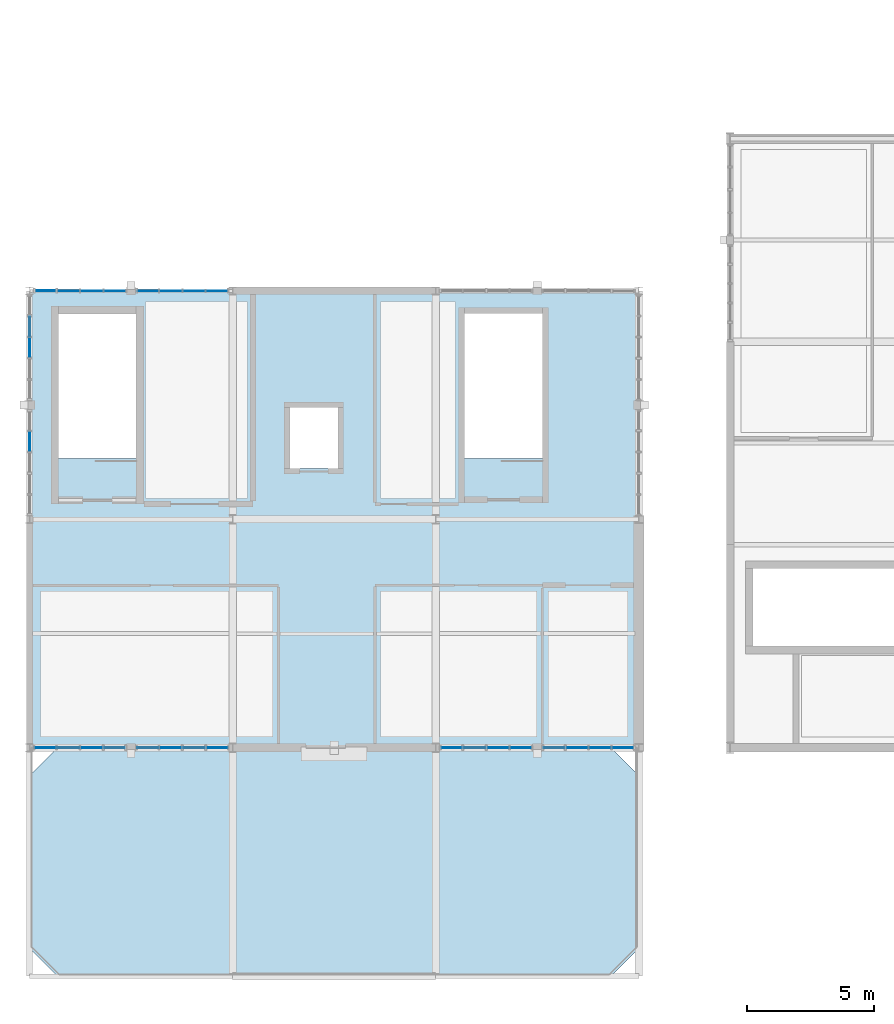
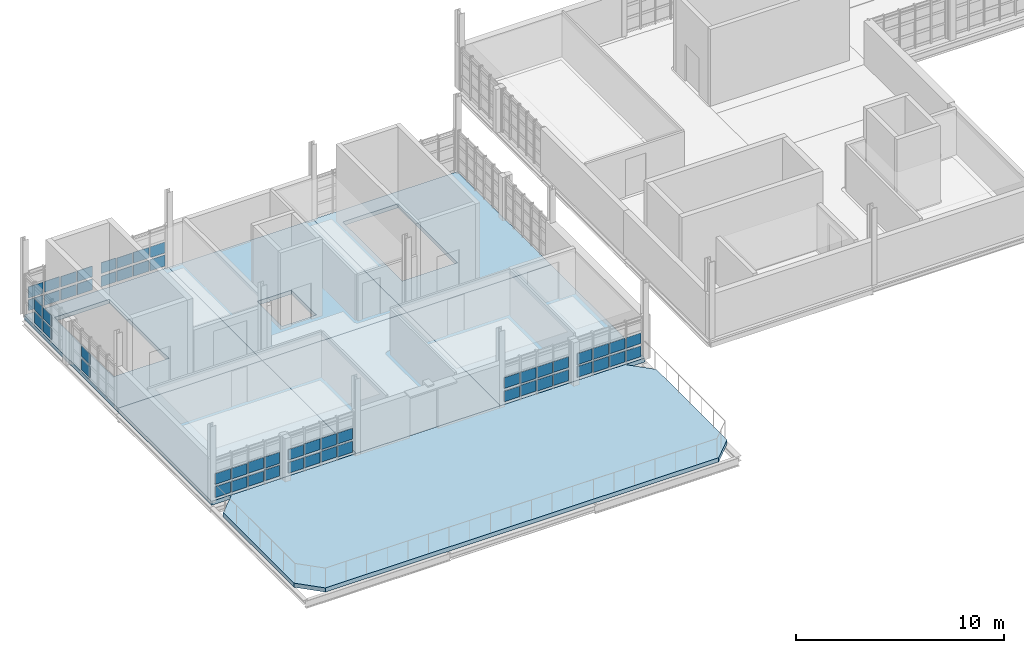
# One storey, part 27 of 44: 54 plates, 7 slabs, 8 elements without a shape of their own.
"""IFC4 building model written with IfcOpenShell, lengths in metres."""

from ifc_helpers import new_model, si_unit, direction, frame, origin, origin_2d, place, context, subcontext, project, spatial, polyline, rectangle, outline, extrude, material, layer, layer_set, type_object, element, aggregate, save


model = new_model("IFC4")

# Units and contexts
model_context = context("Model", 3, precision=1e-05, world=origin(), true_north=direction((0.0, 1.0)))
body_context = subcontext(model_context, "Body", "Model", "MODEL_VIEW")
ifc_project = project(units=[si_unit("LENGTHUNIT", "METRE"), si_unit("AREAUNIT", "SQUARE_METRE"), si_unit("VOLUMEUNIT", "CUBIC_METRE"), si_unit("PLANEANGLEUNIT", "RADIAN"), si_unit("MASSUNIT", "GRAM", prefix="KILO")], contexts=[model_context])

# Site, building, storey
site_placement = place(None, origin())
site = spatial("IfcSite", under=ifc_project, at=site_placement, CompositionType="ELEMENT")
building_placement = place(site_placement, origin())
building = spatial("IfcBuilding", under=site, at=building_placement, Name="Serraforn Aerial Cableway Station", CompositionType="ELEMENT")
storey_placement = place(building_placement, frame((0.0, 0.0, 13.800048828125)))
storey = spatial("IfcBuildingStorey", under=building, at=storey_placement, Name="L03", CompositionType="ELEMENT", Elevation=13.800048828125)

# Curtain wall, plate
ifc_material_1 = material(Name="Anodised bronze unitised curtain wall")
curtain_wall_type_1 = type_object("IfcCurtainWallType", Name="CW-SYS-8", PredefinedType="USERDEFINED", material=ifc_material_1)
curtain_wall_1_placement = place(storey_placement, origin())
curtain_wall_1 = element("IfcCurtainWall", 1, at=curtain_wall_1_placement, inside=storey, type_object=curtain_wall_type_1, Name="Unitised Curtain Wall CW-W-L03-S1B", ObjectType="UNITISED CURTAIN WALL", PredefinedType="USERDEFINED")
ifc_material_2 = material(Name="Solar-control low-E double glazing", Category="glass")
ifc_layer_1 = layer(ifc_material_2, 0.02587890625)
ifc_layer_set_1 = layer_set([ifc_layer_1], Name="Solar-control low-E double glazing")
plate_type_1 = type_object("IfcPlateType", Name="CW-GLZ-1", PredefinedType="CURTAIN_PANEL", material=ifc_layer_set_1)
plate_1_placement = place(storey_placement, frame((7.38427734375, 18.0, 0.9248046875), z_axis=(0.0, 0.0, 1.0), x_axis=(1.0, 0.0, 0.0)))
plate_1 = element("IfcPlate", 2, at=plate_1_placement, type_object=plate_type_1, Name="Curtain Wall Panel CW-W-L03-S1B-P4-2", PredefinedType="CURTAIN_PANEL", context=body_context, shape_type="SweptSolid", body=[
    extrude(rectangle(XDim=0.82958984375, YDim=0.02587890625, at=origin_2d()), origin(), (0.0, 0.0, 1.0), 0.6416015625),
])

# Curtain wall, plates
curtain_wall_type_2 = type_object("IfcCurtainWallType", Name="CW-SYS-9", PredefinedType="USERDEFINED", material=ifc_material_1)
curtain_wall_2_placement = place(storey_placement, origin())
curtain_wall_2 = element("IfcCurtainWall", 3, at=curtain_wall_2_placement, inside=storey, type_object=curtain_wall_type_2, Name="Unitised Curtain Wall CW-W-L03-S3A", ObjectType="UNITISED CURTAIN WALL", PredefinedType="USERDEFINED")
plate_2_placement = place(storey_placement, frame((18.447998046875, 18.0, 0.9248046875), z_axis=(0.0, 0.0, 1.0), x_axis=(1.0, 0.0, 0.0)))
plate_2 = element("IfcPlate", 4, at=plate_2_placement, type_object=plate_type_1, Name="Curtain Wall Panel CW-W-L03-S3A-P3-2", PredefinedType="CURTAIN_PANEL", context=body_context, shape_type="SweptSolid", body=[
    extrude(rectangle(XDim=0.85693359375, YDim=0.02587890625, at=origin_2d()), origin(), (0.0, 0.0, 1.0), 0.6416015625),
])
plate_3_placement = place(storey_placement, frame((19.3447265625, 18.0, 0.159912109375), z_axis=(0.0, 0.0, 1.0), x_axis=(1.0, 0.0, 0.0)))
plate_3 = element("IfcPlate", 5, at=plate_3_placement, type_object=plate_type_1, Name="Curtain Wall Panel CW-W-L03-S3A-P4-1", PredefinedType="CURTAIN_PANEL", context=body_context, shape_type="SweptSolid", body=[
    extrude(rectangle(XDim=0.83447265625, YDim=0.02587890625, at=origin_2d()), origin(), (0.0, 0.0, 1.0), 0.6416015625),
])

curtain_wall_type_3 = type_object("IfcCurtainWallType", Name="CW-SYS-10", PredefinedType="USERDEFINED", material=ifc_material_1)
curtain_wall_3_placement = place(storey_placement, origin())
curtain_wall_3 = element("IfcCurtainWall", 6, at=curtain_wall_3_placement, inside=storey, type_object=curtain_wall_type_3, Name="Unitised Curtain Wall CW-W-L03-S3B", ObjectType="UNITISED CURTAIN WALL", PredefinedType="USERDEFINED")
plate_4_placement = place(storey_placement, frame((21.56201171875, 18.0, 0.9248046875), z_axis=(0.0, 0.0, 1.0), x_axis=(1.0, 0.0, 0.0)))
plate_4 = element("IfcPlate", 7, at=plate_4_placement, type_object=plate_type_1, Name="Curtain Wall Panel CW-W-L03-S3B-P2-2", PredefinedType="CURTAIN_PANEL", context=body_context, shape_type="SweptSolid", body=[
    extrude(rectangle(XDim=0.85693359375, YDim=0.02587890625, at=origin_2d()), origin(), (0.0, 0.0, 1.0), 0.6416015625),
])
plate_5_placement = place(storey_placement, frame((22.4736328125, 18.0, 0.159912109375), z_axis=(0.0, 0.0, 1.0), x_axis=(1.0, 0.0, 0.0)))
plate_5 = element("IfcPlate", 8, at=plate_5_placement, type_object=plate_type_1, Name="Curtain Wall Panel CW-W-L03-S3B-P3-1", PredefinedType="CURTAIN_PANEL", context=body_context, shape_type="SweptSolid", body=[
    extrude(rectangle(XDim=0.864501953125, YDim=0.02587890625, at=origin_2d()), origin(), (0.0, 0.0, 1.0), 0.6416015625),
])

curtain_wall_type_4 = type_object("IfcCurtainWallType", Name="CW-SYS-11", PredefinedType="USERDEFINED", material=ifc_material_1)
curtain_wall_4_placement = place(storey_placement, origin())
curtain_wall_4 = element("IfcCurtainWall", 9, at=curtain_wall_4_placement, inside=storey, type_object=curtain_wall_type_4, Name="Unitised Curtain Wall CW-W-L03-N1A", ObjectType="UNITISED CURTAIN WALL", PredefinedType="USERDEFINED")
plate_6_placement = place(storey_placement, frame((7.369384765625, 36.0, 0.9248046875), z_axis=(0.0, 0.0, 1.0), x_axis=(1.0, 0.0, 0.0)))
plate_6 = element("IfcPlate", 10, at=plate_6_placement, type_object=plate_type_1, Name="Curtain Wall Panel CW-W-L03-N1A-P1-2", PredefinedType="CURTAIN_PANEL", context=body_context, shape_type="SweptSolid", body=[
    extrude(rectangle(XDim=0.819580078125, YDim=0.02587890625, at=origin_2d()), origin(), (0.0, 0.0, 1.0), 0.6416015625),
])
plate_7_placement = place(storey_placement, frame((6.476318359375, 36.0, 0.159912109375), z_axis=(0.0, 0.0, 1.0), x_axis=(1.0, 0.0, 0.0)))
plate_7 = element("IfcPlate", 11, at=plate_7_placement, type_object=plate_type_1, Name="Curtain Wall Panel CW-W-L03-N1A-P2-1", PredefinedType="CURTAIN_PANEL", context=body_context, shape_type="SweptSolid", body=[
    extrude(rectangle(XDim=0.864501953125, YDim=0.02587890625, at=origin_2d()), origin(), (0.0, 0.0, 1.0), 0.6416015625),
])

# Curtain wall, plate
curtain_wall_type_5 = type_object("IfcCurtainWallType", Name="CW-SYS-12", PredefinedType="USERDEFINED", material=ifc_material_1)
curtain_wall_5_placement = place(storey_placement, origin())
curtain_wall_5 = element("IfcCurtainWall", 12, at=curtain_wall_5_placement, inside=storey, type_object=curtain_wall_type_5, Name="Unitised Curtain Wall CW-W-L03-N1B", ObjectType="UNITISED CURTAIN WALL", PredefinedType="USERDEFINED")
plate_8_placement = place(storey_placement, frame((3.348388671875, 36.0, 0.159912109375), z_axis=(0.0, 0.0, 1.0), x_axis=(1.0, 0.0, 0.0)))
plate_8 = element("IfcPlate", 13, at=plate_8_placement, type_object=plate_type_1, Name="Curtain Wall Panel CW-W-L03-N1B-P1-1", PredefinedType="CURTAIN_PANEL", context=body_context, shape_type="SweptSolid", body=[
    extrude(rectangle(XDim=0.8369140625, YDim=0.02587890625, at=origin_2d()), origin(), (0.0, 0.0, 1.0), 0.6416015625),
])

# Plate
ifc_layer_2 = layer(ifc_material_2, 0.028076171875)
ifc_layer_set_2 = layer_set([ifc_layer_2], Name="Solar-control low-E double glazing")
plate_type_2 = type_object("IfcPlateType", Name="CW-GLZ-2", PredefinedType="CURTAIN_PANEL", material=ifc_layer_set_2)
plate_9_placement = place(storey_placement, frame((19.3447265625, 18.0, 0.9326171875), z_axis=(0.0, 0.0, 1.0), x_axis=(1.0, 0.0, 0.0)))
plate_9 = element("IfcPlate", 14, at=plate_9_placement, type_object=plate_type_2, Name="Curtain Wall Panel CW-W-L03-S3A-P4-2", PredefinedType="CURTAIN_PANEL", context=body_context, shape_type="SweptSolid", body=[
    extrude(rectangle(XDim=0.83447265625, YDim=0.028076171875, at=origin_2d()), origin(), (0.0, 0.0, 1.0), 0.62646484375),
])

plate_10_placement = place(storey_placement, frame((22.4736328125, 18.0, 0.9326171875), z_axis=(0.0, 0.0, 1.0), x_axis=(1.0, 0.0, 0.0)))
plate_10 = element("IfcPlate", 15, at=plate_10_placement, type_object=plate_type_2, Name="Curtain Wall Panel CW-W-L03-S3B-P3-2", PredefinedType="CURTAIN_PANEL", context=body_context, shape_type="SweptSolid", body=[
    extrude(rectangle(XDim=0.864501953125, YDim=0.028076171875, at=origin_2d()), origin(), (0.0, 0.0, 1.0), 0.62646484375),
])

plate_11_placement = place(storey_placement, frame((23.37548828125, 18.0, 0.16748046875), z_axis=(0.0, 0.0, 1.0), x_axis=(1.0, 0.0, 0.0)))
plate_11 = element("IfcPlate", 16, at=plate_11_placement, type_object=plate_type_2, Name="Curtain Wall Panel CW-W-L03-S3B-P4-1", PredefinedType="CURTAIN_PANEL", context=body_context, shape_type="SweptSolid", body=[
    extrude(rectangle(XDim=0.826904296875, YDim=0.028076171875, at=origin_2d()), origin(), (0.0, 0.0, 1.0), 0.62646484375),
])

plate_12_placement = place(storey_placement, frame((6.476318359375, 36.0, 0.9326171875), z_axis=(0.0, 0.0, 1.0), x_axis=(1.0, 0.0, 0.0)))
plate_12 = element("IfcPlate", 17, at=plate_12_placement, type_object=plate_type_2, Name="Curtain Wall Panel CW-W-L03-N1A-P2-2", PredefinedType="CURTAIN_PANEL", context=body_context, shape_type="SweptSolid", body=[
    extrude(rectangle(XDim=0.864501953125, YDim=0.028076171875, at=origin_2d()), origin(), (0.0, 0.0, 1.0), 0.62646484375),
])

plate_13_placement = place(storey_placement, frame((5.558349609375, 36.0, 0.16748046875), z_axis=(0.0, 0.0, 1.0), x_axis=(1.0, 0.0, 0.0)))
plate_13 = element("IfcPlate", 18, at=plate_13_placement, type_object=plate_type_2, Name="Curtain Wall Panel CW-W-L03-N1A-P3-1", PredefinedType="CURTAIN_PANEL", context=body_context, shape_type="SweptSolid", body=[
    extrude(rectangle(XDim=0.859619140625, YDim=0.028076171875, at=origin_2d()), origin(), (0.0, 0.0, 1.0), 0.62646484375),
])

plate_14_placement = place(storey_placement, frame((3.348388671875, 36.0, 0.9326171875), z_axis=(0.0, 0.0, 1.0), x_axis=(1.0, 0.0, 0.0)))
plate_14 = element("IfcPlate", 19, at=plate_14_placement, type_object=plate_type_2, Name="Curtain Wall Panel CW-W-L03-N1B-P1-2", PredefinedType="CURTAIN_PANEL", context=body_context, shape_type="SweptSolid", body=[
    extrude(rectangle(XDim=0.8369140625, YDim=0.028076171875, at=origin_2d()), origin(), (0.0, 0.0, 1.0), 0.62646484375),
])

plate_15_placement = place(storey_placement, frame((2.444091796875, 36.0, 0.16748046875), z_axis=(0.0, 0.0, 1.0), x_axis=(1.0, 0.0, 0.0)))
plate_15 = element("IfcPlate", 20, at=plate_15_placement, type_object=plate_type_2, Name="Curtain Wall Panel CW-W-L03-N1B-P2-1", PredefinedType="CURTAIN_PANEL", context=body_context, shape_type="SweptSolid", body=[
    extrude(rectangle(XDim=0.859619140625, YDim=0.028076171875, at=origin_2d()), origin(), (0.0, 0.0, 1.0), 0.62646484375),
])

ifc_layer_3 = layer(ifc_material_2, 0.030029296875)
ifc_layer_set_3 = layer_set([ifc_layer_3], Name="Solar-control low-E double glazing")
plate_type_3 = type_object("IfcPlateType", Name="CW-GLZ-3", PredefinedType="CURTAIN_PANEL", material=ifc_layer_set_3)
plate_16_placement = place(storey_placement, frame((23.37548828125, 18.0, 0.93994140625), z_axis=(0.0, 0.0, 1.0), x_axis=(1.0, 0.0, 0.0)))
plate_16 = element("IfcPlate", 21, at=plate_16_placement, type_object=plate_type_3, Name="Curtain Wall Panel CW-W-L03-S3B-P4-2", PredefinedType="CURTAIN_PANEL", context=body_context, shape_type="SweptSolid", body=[
    extrude(rectangle(XDim=0.826904296875, YDim=0.030029296875, at=origin_2d()), origin(), (0.0, 0.0, 1.0), 0.611572265625),
])

plate_17_placement = place(storey_placement, frame((5.558349609375, 36.0, 0.93994140625), z_axis=(0.0, 0.0, 1.0), x_axis=(1.0, 0.0, 0.0)))
plate_17 = element("IfcPlate", 22, at=plate_17_placement, type_object=plate_type_3, Name="Curtain Wall Panel CW-W-L03-N1A-P3-2", PredefinedType="CURTAIN_PANEL", context=body_context, shape_type="SweptSolid", body=[
    extrude(rectangle(XDim=0.859619140625, YDim=0.030029296875, at=origin_2d()), origin(), (0.0, 0.0, 1.0), 0.611572265625),
])

plate_18_placement = place(storey_placement, frame((4.65771484375, 36.0, 0.1748046875), z_axis=(0.0, 0.0, 1.0), x_axis=(1.0, 0.0, 0.0)))
plate_18 = element("IfcPlate", 23, at=plate_18_placement, type_object=plate_type_3, Name="Curtain Wall Panel CW-W-L03-N1A-P4-1", PredefinedType="CURTAIN_PANEL", context=body_context, shape_type="SweptSolid", body=[
    extrude(rectangle(XDim=0.819580078125, YDim=0.030029296875, at=origin_2d()), origin(), (0.0, 0.0, 1.0), 0.611572265625),
])

plate_19_placement = place(storey_placement, frame((2.444091796875, 36.0, 0.93994140625), z_axis=(0.0, 0.0, 1.0), x_axis=(1.0, 0.0, 0.0)))
plate_19 = element("IfcPlate", 24, at=plate_19_placement, type_object=plate_type_3, Name="Curtain Wall Panel CW-W-L03-N1B-P2-2", PredefinedType="CURTAIN_PANEL", context=body_context, shape_type="SweptSolid", body=[
    extrude(rectangle(XDim=0.859619140625, YDim=0.030029296875, at=origin_2d()), origin(), (0.0, 0.0, 1.0), 0.611572265625),
])

plate_20_placement = place(storey_placement, frame((1.5263671875, 36.0, 0.1748046875), z_axis=(0.0, 0.0, 1.0), x_axis=(1.0, 0.0, 0.0)))
plate_20 = element("IfcPlate", 25, at=plate_20_placement, type_object=plate_type_3, Name="Curtain Wall Panel CW-W-L03-N1B-P3-1", PredefinedType="CURTAIN_PANEL", context=body_context, shape_type="SweptSolid", body=[
    extrude(rectangle(XDim=0.8544921875, YDim=0.030029296875, at=origin_2d()), origin(), (0.0, 0.0, 1.0), 0.611572265625),
])

# Curtain wall, plate
curtain_wall_type_6 = type_object("IfcCurtainWallType", Name="CW-SYS-7", PredefinedType="USERDEFINED", material=ifc_material_1)
curtain_wall_6_placement = place(storey_placement, origin())
curtain_wall_6 = element("IfcCurtainWall", 26, at=curtain_wall_6_placement, inside=storey, type_object=curtain_wall_type_6, Name="Unitised Curtain Wall CW-W-L03-S1A", ObjectType="UNITISED CURTAIN WALL", PredefinedType="USERDEFINED")
ifc_layer_4 = layer(ifc_material_2, 0.031982421875)
ifc_layer_set_4 = layer_set([ifc_layer_4], Name="Solar-control low-E double glazing")
plate_type_4 = type_object("IfcPlateType", Name="CW-GLZ-4", PredefinedType="CURTAIN_PANEL", material=ifc_layer_set_4)
plate_21_placement = place(storey_placement, frame((0.619384765625, 18.0, 0.159912109375), z_axis=(0.0, 0.0, 1.0), x_axis=(1.0, 0.0, 0.0)))
plate_21 = element("IfcPlate", 27, at=plate_21_placement, type_object=plate_type_4, Name="Curtain Wall Panel CW-W-L03-S1A-P1-1", PredefinedType="CURTAIN_PANEL", context=body_context, shape_type="SweptSolid", body=[
    extrude(rectangle(XDim=0.8369140625, YDim=0.031982421875, at=origin_2d()), origin(), (0.0, 0.0, 1.0), 0.6416015625),
])

# Plate
plate_22_placement = place(storey_placement, frame((4.65771484375, 36.0, 0.947265625), z_axis=(0.0, 0.0, 1.0), x_axis=(1.0, 0.0, 0.0)))
plate_22 = element("IfcPlate", 28, at=plate_22_placement, type_object=plate_type_4, Name="Curtain Wall Panel CW-W-L03-N1A-P4-2", PredefinedType="CURTAIN_PANEL", context=body_context, shape_type="SweptSolid", body=[
    extrude(rectangle(XDim=0.819580078125, YDim=0.031982421875, at=origin_2d()), origin(), (0.0, 0.0, 1.0), 0.631591796875),
])

plate_23_placement = place(storey_placement, frame((1.5263671875, 36.0, 0.947265625), z_axis=(0.0, 0.0, 1.0), x_axis=(1.0, 0.0, 0.0)))
plate_23 = element("IfcPlate", 29, at=plate_23_placement, type_object=plate_type_4, Name="Curtain Wall Panel CW-W-L03-N1B-P3-2", PredefinedType="CURTAIN_PANEL", context=body_context, shape_type="SweptSolid", body=[
    extrude(rectangle(XDim=0.8544921875, YDim=0.031982421875, at=origin_2d()), origin(), (0.0, 0.0, 1.0), 0.631591796875),
])

plate_24_placement = place(storey_placement, frame((0.626953125, 36.0, 0.18212890625), z_axis=(0.0, 0.0, 1.0), x_axis=(1.0, 0.0, 0.0)))
plate_24 = element("IfcPlate", 30, at=plate_24_placement, type_object=plate_type_4, Name="Curtain Wall Panel CW-W-L03-N1B-P4-1", PredefinedType="CURTAIN_PANEL", context=body_context, shape_type="SweptSolid", body=[
    extrude(rectangle(XDim=0.81201171875, YDim=0.031982421875, at=origin_2d()), origin(), (0.0, 0.0, 1.0), 0.631591796875),
])

ifc_layer_5 = layer(ifc_material_2, 0.033935546875)
ifc_layer_set_5 = layer_set([ifc_layer_5], Name="Solar-control low-E double glazing")
plate_type_5 = type_object("IfcPlateType", Name="CW-GLZ-5", PredefinedType="CURTAIN_PANEL", material=ifc_layer_set_5)
plate_25_placement = place(storey_placement, frame((0.619384765625, 18.0, 0.9326171875), z_axis=(0.0, 0.0, 1.0), x_axis=(1.0, 0.0, 0.0)))
plate_25 = element("IfcPlate", 31, at=plate_25_placement, type_object=plate_type_5, Name="Curtain Wall Panel CW-W-L03-S1A-P1-2", PredefinedType="CURTAIN_PANEL", context=body_context, shape_type="SweptSolid", body=[
    extrude(rectangle(XDim=0.8369140625, YDim=0.033935546875, at=origin_2d()), origin(), (0.0, 0.0, 1.0), 0.62646484375),
])

plate_26_placement = place(storey_placement, frame((1.523681640625, 18.0, 0.16748046875), z_axis=(0.0, 0.0, 1.0), x_axis=(1.0, 0.0, 0.0)))
plate_26 = element("IfcPlate", 32, at=plate_26_placement, type_object=plate_type_5, Name="Curtain Wall Panel CW-W-L03-S1A-P2-1", PredefinedType="CURTAIN_PANEL", context=body_context, shape_type="SweptSolid", body=[
    extrude(rectangle(XDim=0.859619140625, YDim=0.033935546875, at=origin_2d()), origin(), (0.0, 0.0, 1.0), 0.62646484375),
])

plate_27_placement = place(storey_placement, frame((4.65283203125, 18.0, 0.16748046875), z_axis=(0.0, 0.0, 1.0), x_axis=(1.0, 0.0, 0.0)))
plate_27 = element("IfcPlate", 33, at=plate_27_placement, type_object=plate_type_5, Name="Curtain Wall Panel CW-W-L03-S1B-P1-1", PredefinedType="CURTAIN_PANEL", context=body_context, shape_type="SweptSolid", body=[
    extrude(rectangle(XDim=0.82958984375, YDim=0.033935546875, at=origin_2d()), origin(), (0.0, 0.0, 1.0), 0.62646484375),
])

plate_28_placement = place(storey_placement, frame((0.626953125, 36.0, 0.919921875), z_axis=(0.0, 0.0, 1.0), x_axis=(1.0, 0.0, 0.0)))
plate_28 = element("IfcPlate", 34, at=plate_28_placement, type_object=plate_type_5, Name="Curtain Wall Panel CW-W-L03-N1B-P4-2", PredefinedType="CURTAIN_PANEL", context=body_context, shape_type="SweptSolid", body=[
    extrude(rectangle(XDim=0.81201171875, YDim=0.033935546875, at=origin_2d()), origin(), (0.0, 0.0, 1.0), 0.654052734375),
])

aggregate(curtain_wall_5, [plate_8, plate_14, plate_15, plate_19, plate_20, plate_23, plate_24, plate_28])

# Curtain wall, plate
curtain_wall_type_7 = type_object("IfcCurtainWallType", Name="CW-SYS-15", PredefinedType="USERDEFINED", material=ifc_material_1)
curtain_wall_7_placement = place(storey_placement, origin())
curtain_wall_7 = element("IfcCurtainWall", 35, at=curtain_wall_7_placement, inside=storey, type_object=curtain_wall_type_7, Name="Unitised Curtain Wall CW-W-L03-W2A", ObjectType="UNITISED CURTAIN WALL", PredefinedType="USERDEFINED")
plate_29_placement = place(storey_placement, frame((0.0, 34.595458984375, 0.15478515625), z_axis=(0.0, 0.0, 1.0), x_axis=(1.0, 0.0, 0.0)))
plate_29 = element("IfcPlate", 36, at=plate_29_placement, type_object=plate_type_5, Name="Curtain Wall Panel CW-W-L03-W2A-P2-1", PredefinedType="CURTAIN_PANEL", context=body_context, shape_type="SweptSolid", body=[
    extrude(rectangle(XDim=0.033935546875, YDim=0.7734375, at=origin_2d()), origin(), (0.0, 0.0, 1.0), 0.654052734375),
])

# Plate
ifc_layer_6 = layer(ifc_material_2, 0.035888671875)
ifc_layer_set_6 = layer_set([ifc_layer_6], Name="Solar-control low-E double glazing")
plate_type_6 = type_object("IfcPlateType", Name="CW-GLZ-6", PredefinedType="CURTAIN_PANEL", material=ifc_layer_set_6)
plate_30_placement = place(storey_placement, frame((1.523681640625, 18.0, 0.93994140625), z_axis=(0.0, 0.0, 1.0), x_axis=(1.0, 0.0, 0.0)))
plate_30 = element("IfcPlate", 37, at=plate_30_placement, type_object=plate_type_6, Name="Curtain Wall Panel CW-W-L03-S1A-P2-2", PredefinedType="CURTAIN_PANEL", context=body_context, shape_type="SweptSolid", body=[
    extrude(rectangle(XDim=0.859619140625, YDim=0.035888671875, at=origin_2d()), origin(), (0.0, 0.0, 1.0), 0.611572265625),
])

plate_31_placement = place(storey_placement, frame((2.441650390625, 18.0, 0.1748046875), z_axis=(0.0, 0.0, 1.0), x_axis=(1.0, 0.0, 0.0)))
plate_31 = element("IfcPlate", 38, at=plate_31_placement, type_object=plate_type_6, Name="Curtain Wall Panel CW-W-L03-S1A-P3-1", PredefinedType="CURTAIN_PANEL", context=body_context, shape_type="SweptSolid", body=[
    extrude(rectangle(XDim=0.8544921875, YDim=0.035888671875, at=origin_2d()), origin(), (0.0, 0.0, 1.0), 0.611572265625),
])

plate_32_placement = place(storey_placement, frame((4.65283203125, 18.0, 0.93994140625), z_axis=(0.0, 0.0, 1.0), x_axis=(1.0, 0.0, 0.0)))
plate_32 = element("IfcPlate", 39, at=plate_32_placement, type_object=plate_type_6, Name="Curtain Wall Panel CW-W-L03-S1B-P1-2", PredefinedType="CURTAIN_PANEL", context=body_context, shape_type="SweptSolid", body=[
    extrude(rectangle(XDim=0.82958984375, YDim=0.035888671875, at=origin_2d()), origin(), (0.0, 0.0, 1.0), 0.611572265625),
])

plate_33_placement = place(storey_placement, frame((5.5556640625, 18.0, 0.1748046875), z_axis=(0.0, 0.0, 1.0), x_axis=(1.0, 0.0, 0.0)))
plate_33 = element("IfcPlate", 40, at=plate_33_placement, type_object=plate_type_6, Name="Curtain Wall Panel CW-W-L03-S1B-P2-1", PredefinedType="CURTAIN_PANEL", context=body_context, shape_type="SweptSolid", body=[
    extrude(rectangle(XDim=0.8544921875, YDim=0.035888671875, at=origin_2d()), origin(), (0.0, 0.0, 1.0), 0.611572265625),
])

plate_34_placement = place(storey_placement, frame((16.6220703125, 18.0, 0.1748046875), z_axis=(0.0, 0.0, 1.0), x_axis=(1.0, 0.0, 0.0)))
plate_34 = element("IfcPlate", 41, at=plate_34_placement, type_object=plate_type_6, Name="Curtain Wall Panel CW-W-L03-S3A-P1-1", PredefinedType="CURTAIN_PANEL", context=body_context, shape_type="SweptSolid", body=[
    extrude(rectangle(XDim=0.822021484375, YDim=0.035888671875, at=origin_2d()), origin(), (0.0, 0.0, 1.0), 0.611572265625),
])

plate_35_placement = place(storey_placement, frame((0.0, 34.595458984375, 0.9248046875), z_axis=(0.0, 0.0, 1.0), x_axis=(1.0, 0.0, 0.0)))
plate_35 = element("IfcPlate", 42, at=plate_35_placement, type_object=plate_type_6, Name="Curtain Wall Panel CW-W-L03-W2A-P2-2", PredefinedType="CURTAIN_PANEL", context=body_context, shape_type="SweptSolid", body=[
    extrude(rectangle(XDim=0.035888671875, YDim=0.7734375, at=origin_2d()), origin(), (0.0, 0.0, 1.0), 0.6416015625),
])

plate_36_placement = place(storey_placement, frame((0.0, 33.76708984375, 0.159912109375), z_axis=(0.0, 0.0, 1.0), x_axis=(1.0, 0.0, 0.0)))
plate_36 = element("IfcPlate", 43, at=plate_36_placement, type_object=plate_type_6, Name="Curtain Wall Panel CW-W-L03-W2A-P3-1", PredefinedType="CURTAIN_PANEL", context=body_context, shape_type="SweptSolid", body=[
    extrude(rectangle(XDim=0.035888671875, YDim=0.781005859375, at=origin_2d()), origin(), (0.0, 0.0, 1.0), 0.6416015625),
])

# Curtain wall, plate
curtain_wall_type_8 = type_object("IfcCurtainWallType", Name="CW-SYS-16", PredefinedType="USERDEFINED", material=ifc_material_1)
curtain_wall_8_placement = place(storey_placement, origin())
curtain_wall_8 = element("IfcCurtainWall", 44, at=curtain_wall_8_placement, inside=storey, type_object=curtain_wall_type_8, Name="Unitised Curtain Wall CW-W-L03-W2B", ObjectType="UNITISED CURTAIN WALL", PredefinedType="USERDEFINED")
plate_37_placement = place(storey_placement, frame((0.0, 30.069580078125, 0.159912109375), z_axis=(0.0, 0.0, 1.0), x_axis=(1.0, 0.0, 0.0)))
plate_37 = element("IfcPlate", 45, at=plate_37_placement, type_object=plate_type_6, Name="Curtain Wall Panel CW-W-L03-W2B-P2-1", PredefinedType="CURTAIN_PANEL", context=body_context, shape_type="SweptSolid", body=[
    extrude(rectangle(XDim=0.035888671875, YDim=0.781005859375, at=origin_2d()), origin(), (0.0, 0.0, 1.0), 0.6416015625),
])

# Plate
ifc_layer_7 = layer(ifc_material_2, 0.029052734375)
ifc_layer_set_7 = layer_set([ifc_layer_7], Name="Solar-control low-E double glazing")
plate_type_7 = type_object("IfcPlateType", Name="CW-GLZ-7", PredefinedType="CURTAIN_PANEL", material=ifc_layer_set_7)
plate_38_placement = place(storey_placement, frame((2.441650390625, 18.0, 0.947265625), z_axis=(0.0, 0.0, 1.0), x_axis=(1.0, 0.0, 0.0)))
plate_38 = element("IfcPlate", 46, at=plate_38_placement, type_object=plate_type_7, Name="Curtain Wall Panel CW-W-L03-S1A-P3-2", PredefinedType="CURTAIN_PANEL", context=body_context, shape_type="SweptSolid", body=[
    extrude(rectangle(XDim=0.8544921875, YDim=0.029052734375, at=origin_2d()), origin(), (0.0, 0.0, 1.0), 0.631591796875),
])

plate_39_placement = place(storey_placement, frame((3.341064453125, 18.0, 0.18212890625), z_axis=(0.0, 0.0, 1.0), x_axis=(1.0, 0.0, 0.0)))
plate_39 = element("IfcPlate", 47, at=plate_39_placement, type_object=plate_type_7, Name="Curtain Wall Panel CW-W-L03-S1A-P4-1", PredefinedType="CURTAIN_PANEL", context=body_context, shape_type="SweptSolid", body=[
    extrude(rectangle(XDim=0.81201171875, YDim=0.029052734375, at=origin_2d()), origin(), (0.0, 0.0, 1.0), 0.631591796875),
])

plate_40_placement = place(storey_placement, frame((5.5556640625, 18.0, 0.947265625), z_axis=(0.0, 0.0, 1.0), x_axis=(1.0, 0.0, 0.0)))
plate_40 = element("IfcPlate", 48, at=plate_40_placement, type_object=plate_type_7, Name="Curtain Wall Panel CW-W-L03-S1B-P2-2", PredefinedType="CURTAIN_PANEL", context=body_context, shape_type="SweptSolid", body=[
    extrude(rectangle(XDim=0.8544921875, YDim=0.029052734375, at=origin_2d()), origin(), (0.0, 0.0, 1.0), 0.631591796875),
])

plate_41_placement = place(storey_placement, frame((6.4736328125, 18.0, 0.18212890625), z_axis=(0.0, 0.0, 1.0), x_axis=(1.0, 0.0, 0.0)))
plate_41 = element("IfcPlate", 49, at=plate_41_placement, type_object=plate_type_7, Name="Curtain Wall Panel CW-W-L03-S1B-P3-1", PredefinedType="CURTAIN_PANEL", context=body_context, shape_type="SweptSolid", body=[
    extrude(rectangle(XDim=0.849609375, YDim=0.029052734375, at=origin_2d()), origin(), (0.0, 0.0, 1.0), 0.631591796875),
])

plate_42_placement = place(storey_placement, frame((16.6220703125, 18.0, 0.947265625), z_axis=(0.0, 0.0, 1.0), x_axis=(1.0, 0.0, 0.0)))
plate_42 = element("IfcPlate", 50, at=plate_42_placement, type_object=plate_type_7, Name="Curtain Wall Panel CW-W-L03-S3A-P1-2", PredefinedType="CURTAIN_PANEL", context=body_context, shape_type="SweptSolid", body=[
    extrude(rectangle(XDim=0.822021484375, YDim=0.029052734375, at=origin_2d()), origin(), (0.0, 0.0, 1.0), 0.631591796875),
])

plate_43_placement = place(storey_placement, frame((17.523681640625, 18.0, 0.18212890625), z_axis=(0.0, 0.0, 1.0), x_axis=(1.0, 0.0, 0.0)))
plate_43 = element("IfcPlate", 51, at=plate_43_placement, type_object=plate_type_7, Name="Curtain Wall Panel CW-W-L03-S3A-P2-1", PredefinedType="CURTAIN_PANEL", context=body_context, shape_type="SweptSolid", body=[
    extrude(rectangle(XDim=0.849609375, YDim=0.029052734375, at=origin_2d()), origin(), (0.0, 0.0, 1.0), 0.631591796875),
])

plate_44_placement = place(storey_placement, frame((20.6552734375, 18.0, 0.18212890625), z_axis=(0.0, 0.0, 1.0), x_axis=(1.0, 0.0, 0.0)))
plate_44 = element("IfcPlate", 52, at=plate_44_placement, type_object=plate_type_7, Name="Curtain Wall Panel CW-W-L03-S3B-P1-1", PredefinedType="CURTAIN_PANEL", context=body_context, shape_type="SweptSolid", body=[
    extrude(rectangle(XDim=0.814453125, YDim=0.029052734375, at=origin_2d()), origin(), (0.0, 0.0, 1.0), 0.631591796875),
])

plate_45_placement = place(storey_placement, frame((0.0, 33.76708984375, 0.9326171875), z_axis=(0.0, 0.0, 1.0), x_axis=(1.0, 0.0, 0.0)))
plate_45 = element("IfcPlate", 53, at=plate_45_placement, type_object=plate_type_7, Name="Curtain Wall Panel CW-W-L03-W2A-P3-2", PredefinedType="CURTAIN_PANEL", context=body_context, shape_type="SweptSolid", body=[
    extrude(rectangle(XDim=0.029052734375, YDim=0.781005859375, at=origin_2d()), origin(), (0.0, 0.0, 1.0), 0.62646484375),
])

aggregate(curtain_wall_7, [plate_29, plate_35, plate_36, plate_45])

plate_46_placement = place(storey_placement, frame((0.0, 30.069580078125, 0.9326171875), z_axis=(0.0, 0.0, 1.0), x_axis=(1.0, 0.0, 0.0)))
plate_46 = element("IfcPlate", 54, at=plate_46_placement, type_object=plate_type_7, Name="Curtain Wall Panel CW-W-L03-W2B-P2-2", PredefinedType="CURTAIN_PANEL", context=body_context, shape_type="SweptSolid", body=[
    extrude(rectangle(XDim=0.029052734375, YDim=0.781005859375, at=origin_2d()), origin(), (0.0, 0.0, 1.0), 0.62646484375),
])

aggregate(curtain_wall_8, [plate_37, plate_46])

ifc_layer_8 = layer(ifc_material_2, 0.031005859375)
ifc_layer_set_8 = layer_set([ifc_layer_8], Name="Solar-control low-E double glazing")
plate_type_8 = type_object("IfcPlateType", Name="CW-GLZ-8", PredefinedType="CURTAIN_PANEL", material=ifc_layer_set_8)
plate_47_placement = place(storey_placement, frame((3.341064453125, 18.0, 0.919921875), z_axis=(0.0, 0.0, 1.0), x_axis=(1.0, 0.0, 0.0)))
plate_47 = element("IfcPlate", 55, at=plate_47_placement, type_object=plate_type_8, Name="Curtain Wall Panel CW-W-L03-S1A-P4-2", PredefinedType="CURTAIN_PANEL", context=body_context, shape_type="SweptSolid", body=[
    extrude(rectangle(XDim=0.81201171875, YDim=0.031005859375, at=origin_2d()), origin(), (0.0, 0.0, 1.0), 0.654052734375),
])

aggregate(curtain_wall_6, [plate_21, plate_25, plate_26, plate_30, plate_31, plate_38, plate_39, plate_47])

plate_48_placement = place(storey_placement, frame((6.4736328125, 18.0, 0.919921875), z_axis=(0.0, 0.0, 1.0), x_axis=(1.0, 0.0, 0.0)))
plate_48 = element("IfcPlate", 56, at=plate_48_placement, type_object=plate_type_8, Name="Curtain Wall Panel CW-W-L03-S1B-P3-2", PredefinedType="CURTAIN_PANEL", context=body_context, shape_type="SweptSolid", body=[
    extrude(rectangle(XDim=0.849609375, YDim=0.031005859375, at=origin_2d()), origin(), (0.0, 0.0, 1.0), 0.654052734375),
])

plate_49_placement = place(storey_placement, frame((7.38427734375, 18.0, 0.15478515625), z_axis=(0.0, 0.0, 1.0), x_axis=(1.0, 0.0, 0.0)))
plate_49 = element("IfcPlate", 57, at=plate_49_placement, type_object=plate_type_8, Name="Curtain Wall Panel CW-W-L03-S1B-P4-1", PredefinedType="CURTAIN_PANEL", context=body_context, shape_type="SweptSolid", body=[
    extrude(rectangle(XDim=0.82958984375, YDim=0.031005859375, at=origin_2d()), origin(), (0.0, 0.0, 1.0), 0.654052734375),
])

aggregate(curtain_wall_1, [plate_27, plate_32, plate_33, plate_40, plate_41, plate_48, plate_49, plate_1])

plate_50_placement = place(storey_placement, frame((17.523681640625, 18.0, 0.919921875), z_axis=(0.0, 0.0, 1.0), x_axis=(1.0, 0.0, 0.0)))
plate_50 = element("IfcPlate", 58, at=plate_50_placement, type_object=plate_type_8, Name="Curtain Wall Panel CW-W-L03-S3A-P2-2", PredefinedType="CURTAIN_PANEL", context=body_context, shape_type="SweptSolid", body=[
    extrude(rectangle(XDim=0.849609375, YDim=0.031005859375, at=origin_2d()), origin(), (0.0, 0.0, 1.0), 0.654052734375),
])

plate_51_placement = place(storey_placement, frame((18.447998046875, 18.0, 0.15478515625), z_axis=(0.0, 0.0, 1.0), x_axis=(1.0, 0.0, 0.0)))
plate_51 = element("IfcPlate", 59, at=plate_51_placement, type_object=plate_type_8, Name="Curtain Wall Panel CW-W-L03-S3A-P3-1", PredefinedType="CURTAIN_PANEL", context=body_context, shape_type="SweptSolid", body=[
    extrude(rectangle(XDim=0.85693359375, YDim=0.031005859375, at=origin_2d()), origin(), (0.0, 0.0, 1.0), 0.654052734375),
])

aggregate(curtain_wall_2, [plate_34, plate_42, plate_43, plate_50, plate_51, plate_2, plate_3, plate_9])

plate_52_placement = place(storey_placement, frame((20.6552734375, 18.0, 0.919921875), z_axis=(0.0, 0.0, 1.0), x_axis=(1.0, 0.0, 0.0)))
plate_52 = element("IfcPlate", 60, at=plate_52_placement, type_object=plate_type_8, Name="Curtain Wall Panel CW-W-L03-S3B-P1-2", PredefinedType="CURTAIN_PANEL", context=body_context, shape_type="SweptSolid", body=[
    extrude(rectangle(XDim=0.814453125, YDim=0.031005859375, at=origin_2d()), origin(), (0.0, 0.0, 1.0), 0.654052734375),
])

plate_53_placement = place(storey_placement, frame((21.56201171875, 18.0, 0.15478515625), z_axis=(0.0, 0.0, 1.0), x_axis=(1.0, 0.0, 0.0)))
plate_53 = element("IfcPlate", 61, at=plate_53_placement, type_object=plate_type_8, Name="Curtain Wall Panel CW-W-L03-S3B-P2-1", PredefinedType="CURTAIN_PANEL", context=body_context, shape_type="SweptSolid", body=[
    extrude(rectangle(XDim=0.85693359375, YDim=0.031005859375, at=origin_2d()), origin(), (0.0, 0.0, 1.0), 0.654052734375),
])

aggregate(curtain_wall_3, [plate_44, plate_52, plate_53, plate_4, plate_5, plate_10, plate_11, plate_16])

plate_54_placement = place(storey_placement, frame((7.369384765625, 36.0, 0.15478515625), z_axis=(0.0, 0.0, 1.0), x_axis=(1.0, 0.0, 0.0)))
plate_54 = element("IfcPlate", 62, at=plate_54_placement, type_object=plate_type_8, Name="Curtain Wall Panel CW-W-L03-N1A-P1-1", PredefinedType="CURTAIN_PANEL", context=body_context, shape_type="SweptSolid", body=[
    extrude(rectangle(XDim=0.819580078125, YDim=0.031005859375, at=origin_2d()), origin(), (0.0, 0.0, 1.0), 0.654052734375),
])

aggregate(curtain_wall_4, [plate_54, plate_6, plate_7, plate_12, plate_13, plate_17, plate_18, plate_22])

# Slabs
ifc_material_3 = material(Name="Concrete C30/37", Category="concrete")
ifc_layer_9 = layer(ifc_material_3, 0.235107421875)
ifc_layer_set_9 = layer_set([ifc_layer_9], Name="Concrete C30/37")
slab_type_1 = type_object("IfcSlabType", Name="SLB-FLR-235", PredefinedType="FLOOR", material=ifc_layer_set_9)
slab_1_placement = place(storey_placement, frame((0.0, 0.0, -0.235107421875)))
element("IfcSlab", 63, at=slab_1_placement, inside=storey, type_object=slab_type_1, Name="Floor Slab W-L03-1-3", PredefinedType="FLOOR", context=body_context, shape_type="SweptSolid", body=[
    extrude(outline(polyline([(0.0, 18.0), (8.0, 18.0), (8.0, 27.0), (0.0, 27.0), (0.0, 18.0)])), origin(), (0.0, 0.0, 1.0), 0.235107421875),
])
slab_2_placement = place(storey_placement, frame((0.0, 0.0, -0.235107421875)))
element("IfcSlab", 64, at=slab_2_placement, inside=storey, type_object=slab_type_1, Name="Floor Slab W-L03-1-4", PredefinedType="FLOOR", context=body_context, shape_type="SweptSolid", body=[
    extrude(outline(polyline([(0.0, 27.0), (8.0, 27.0), (8.0, 36.0), (0.0, 36.0), (0.0, 27.0)]), holes=[polyline([(4.199951171875, 29.39990234375), (4.199951171875, 35.10009765625), (1.139892578125, 35.10009765625), (1.139892578125, 29.39990234375), (4.199951171875, 29.39990234375)])]), origin(), (0.0, 0.0, 1.0), 0.235107421875),
])
slab_3_placement = place(storey_placement, frame((0.0, 0.0, -0.235107421875)))
element("IfcSlab", 65, at=slab_3_placement, inside=storey, type_object=slab_type_1, Name="Floor Slab W-L03-2-3", PredefinedType="FLOOR", context=body_context, shape_type="SweptSolid", body=[
    extrude(outline(polyline([(8.0, 18.0), (16.0, 18.0), (16.0, 27.0), (8.0, 27.0), (8.0, 18.0)])), origin(), (0.0, 0.0, 1.0), 0.235107421875),
])
slab_4_placement = place(storey_placement, frame((0.0, 0.0, -0.235107421875)))
element("IfcSlab", 66, at=slab_4_placement, inside=storey, type_object=slab_type_1, Name="Floor Slab W-L03-2-4", PredefinedType="FLOOR", context=body_context, shape_type="SweptSolid", body=[
    extrude(outline(polyline([(8.0, 27.0), (16.0, 27.0), (16.0, 36.0), (8.0, 36.0), (8.0, 27.0)]), holes=[polyline([(10.25, 29.0), (12.14990234375, 29.0), (12.14990234375, 31.39990234375), (10.25, 31.39990234375), (10.25, 29.0)])]), origin(), (0.0, 0.0, 1.0), 0.235107421875),
])
slab_5_placement = place(storey_placement, frame((0.0, 0.0, -0.235107421875)))
element("IfcSlab", 67, at=slab_5_placement, inside=storey, type_object=slab_type_1, Name="Floor Slab W-L03-3-3", PredefinedType="FLOOR", context=body_context, shape_type="SweptSolid", body=[
    extrude(outline(polyline([(16.0, 18.0), (24.0, 18.0), (24.0, 27.0), (16.0, 27.0), (16.0, 18.0)])), origin(), (0.0, 0.0, 1.0), 0.235107421875),
])
slab_6_placement = place(storey_placement, frame((0.0, 0.0, -0.235107421875)))
element("IfcSlab", 68, at=slab_6_placement, inside=storey, type_object=slab_type_1, Name="Floor Slab W-L03-3-4", PredefinedType="FLOOR", context=body_context, shape_type="SweptSolid", body=[
    extrude(outline(polyline([(16.0, 27.0), (24.0, 27.0), (24.0, 36.0), (16.0, 36.0), (16.0, 27.0)]), holes=[polyline([(20.199951171875, 29.39990234375), (20.199951171875, 35.10009765625), (17.139892578125, 35.10009765625), (17.139892578125, 29.39990234375), (20.199951171875, 29.39990234375)])]), origin(), (0.0, 0.0, 1.0), 0.235107421875),
])
ifc_material_4 = material(Name="Concrete C35/45", Category="concrete")
ifc_layer_10 = layer(ifc_material_4, 0.2451171875)
ifc_layer_set_10 = layer_set([ifc_layer_10], Name="Concrete C35/45")
slab_type_2 = type_object("IfcSlabType", Name="SLB-TER-245", PredefinedType="FLOOR", material=ifc_layer_set_10)
slab_7_placement = place(storey_placement, frame((0.0, 0.0, -0.2451171875)))
element("IfcSlab", 69, at=slab_7_placement, inside=storey, type_object=slab_type_2, Name="Belvedere Panoramic Terrace Slab L03", PredefinedType="FLOOR", context=body_context, shape_type="SweptSolid", body=[
    extrude(outline(polyline([(1.10009765625, 9.0), (22.89990234375, 9.0), (24.0, 10.10009765625), (24.0, 16.89990234375), (22.89990234375, 18.0), (1.10009765625, 18.0), (0.0, 16.89990234375), (0.0, 10.10009765625), (1.10009765625, 9.0)])), origin(), (0.0, 0.0, 1.0), 0.2451171875),
])

save(model, "model.ifc")
